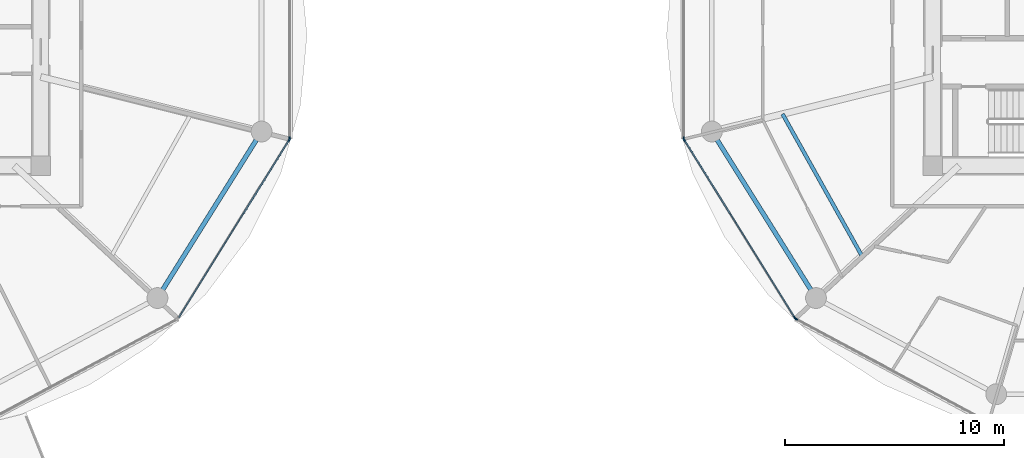
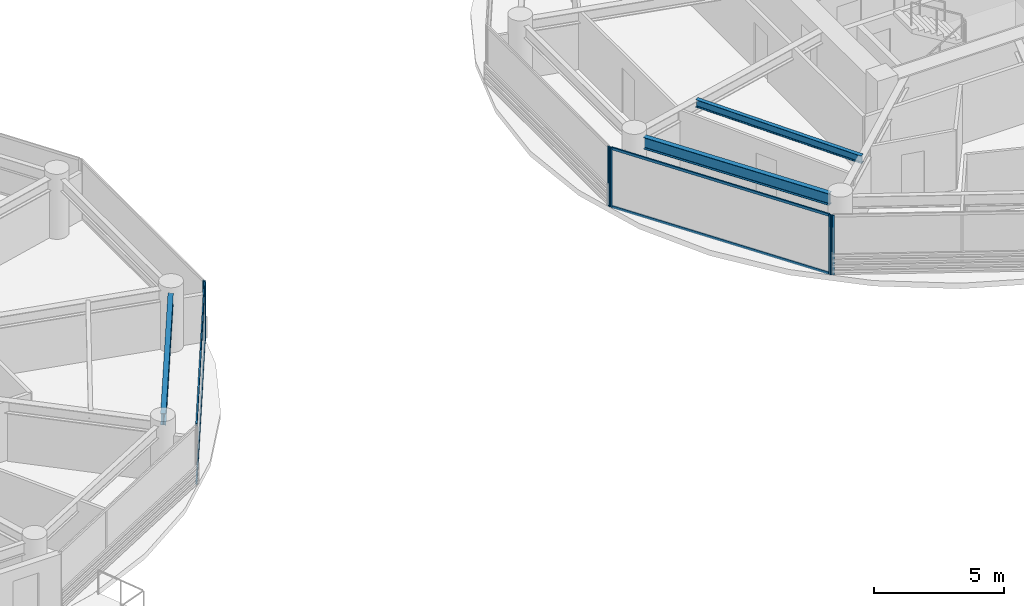
# One storey, part 6 of 27: 10 members, 3 beams, 5 elements without a shape of their own.
"""IFC4 building model written with IfcOpenShell, lengths in metres."""

from ifc_helpers import new_model, si_unit, direction, frame, origin, origin_2d, place, context, subcontext, project, spatial, rectangle, i_section, extrude, source, transform, mapped, material, layer, layer_set, material_profile, profile_set, type_object, type_shapes, element, aggregate, save


model = new_model("IFC4")

# Units and contexts
model_context = context("Model", 3, precision=1e-05, world=origin(), true_north=direction((0.0, 1.0)))
body_context = subcontext(model_context, "Body", "Model", "MODEL_VIEW")
ifc_project = project(units=[si_unit("LENGTHUNIT", "METRE"), si_unit("AREAUNIT", "SQUARE_METRE"), si_unit("VOLUMEUNIT", "CUBIC_METRE"), si_unit("PLANEANGLEUNIT", "RADIAN"), si_unit("MASSUNIT", "GRAM", prefix="KILO")], contexts=[model_context])

# Site, building, storey
site_placement = place(None, origin())
site = spatial("IfcSite", under=ifc_project, at=site_placement, CompositionType="ELEMENT")
building_placement = place(site_placement, origin())
building = spatial("IfcBuilding", under=site, at=building_placement, Name="Norrkilde Senior Care Towers", CompositionType="ELEMENT")
storey_placement = place(building_placement, frame((0.0, 0.0, 46.0)))
storey = spatial("IfcBuildingStorey", under=building, at=storey_placement, Name="L13", CompositionType="ELEMENT", Elevation=46.0)

# Beams
ifc_material_1 = material(Name="Steel S355", Category="steel")
ifc_material_profile_1 = material_profile(ifc_material_1, i_section(OverallWidth=0.2099609375, OverallDepth=0.550048828125, WebThickness=0.010986328125, FlangeThickness=0.01708984375, FilletRadius=0.02392578125, at=origin_2d()), Name="IPE 550")
ifc_profile_set_1 = profile_set([ifc_material_profile_1], Name="Steel S355")
beam_type_1 = type_object("IfcBeamType", Name="Perimeter Ring Spandrel Z1 IPE550", PredefinedType="SPANDREL", material=ifc_profile_set_1)
shared_shape_1 = source(origin(), body_context, "Body", "SweptSolid", [
    extrude(i_section(OverallWidth=0.2099609375, OverallDepth=0.550048828125, WebThickness=0.010986328125, FlangeThickness=0.01708984375, FilletRadius=0.02392578125, at=origin_2d()), origin(), (0.0, 0.0, 1.0), 8.090576171875),
])
type_shapes(beam_type_1, [shared_shape_1])
for number, where, z_axis, x_axis, name in (
    (1, (-14.7939453125, -11.61669921875, 2.514892578125), (0.530004364821, 0.84799491347, 0.0), (-0.84799491347, 0.530004364821, 0.0), "L13 Drum W Perimeter Spandrel 11"),
    (2, (10.505859375, -4.755859375, 2.514892578125), (0.530004364821, -0.84799491347, 0.0), (0.84799491347, 0.530004364821, 0.0), "L13 Drum E Perimeter Spandrel 07"),
):
    element("IfcBeam", number, at=place(storey_placement, frame(where, z_axis=z_axis, x_axis=x_axis)), inside=storey, type_object=beam_type_1, Name=name, PredefinedType="SPANDREL", context=body_context, shape_type="MappedRepresentation", body=[
        mapped(shared_shape_1, transform((0.0, 0.0, 0.0), x_axis=(1.0, 0.0, 0.0), y_axis=(0.0, 1.0, 0.0), z_axis=(0.0, 0.0, 1.0), scale=1.0)),
    ])
ifc_material_profile_2 = material_profile(ifc_material_1, i_section(OverallWidth=0.169921875, OverallDepth=0.360107421875, WebThickness=0.008056640625, FlangeThickness=0.0126953125, FilletRadius=0.01806640625, at=origin_2d()), Name="IPE 360")
ifc_profile_set_2 = profile_set([ifc_material_profile_2], Name="Steel S355")
beam_type_2 = type_object("IfcBeamType", Name="Secondary Floor Joist IPE360", PredefinedType="JOIST", material=ifc_profile_set_2)
shared_shape_2 = source(origin(), body_context, "Body", "SweptSolid", [
    extrude(i_section(OverallWidth=0.169921875, OverallDepth=0.360107421875, WebThickness=0.008056640625, FlangeThickness=0.0126953125, FilletRadius=0.01806640625, at=origin_2d()), origin(), (0.0, 0.0, 1.0), 7.40771484375),
])
type_shapes(beam_type_2, [shared_shape_2])
beam_placement = place(storey_placement, frame((13.499267578125, -3.589111328125, 2.610107421875), z_axis=(0.488167754092, -0.872749817453, 0.0), x_axis=(0.872749817453, 0.488167754092, 0.0)))
element("IfcBeam", 3, at=beam_placement, inside=storey, type_object=beam_type_2, Name="L13 Drum E Secondary Floor Joist 3", PredefinedType="JOIST", context=body_context, shape_type="MappedRepresentation", body=[
    mapped(shared_shape_2, transform((0.0, 0.0, 0.0), x_axis=(1.0, 0.0, 0.0), y_axis=(0.0, 1.0, 0.0), z_axis=(0.0, 0.0, 1.0), scale=1.0)),
])

# Curtain wall, member
ifc_material_2 = material(Name="Triple Low-E Insulated Glazing", Category="glass")
ifc_layer = layer(ifc_material_2, 0.199951171875)
ifc_layer_set = layer_set([ifc_layer], Name="Triple Low-E Insulated Glazing")
curtain_wall_type = type_object("IfcCurtainWallType", Name="CW2 Zone 1 Memory Care Curtain Wall", PredefinedType="NOTDEFINED", material=ifc_layer_set)
curtain_wall_1_placement = place(storey_placement, origin())
curtain_wall_1 = element("IfcCurtainWall", 4, at=curtain_wall_1_placement, inside=storey, type_object=curtain_wall_type, Name="L13 Drum W Curtain Wall 10", PredefinedType="NOTDEFINED")
ifc_material_3 = material(Name="Anodised Aluminium", Category="aluminium")
ifc_material_profile_3 = material_profile(ifc_material_3, rectangle(XDim=0.06494140625, YDim=0.159912109375, at=origin_2d()), Name="ALU MULL 65x160")
ifc_profile_set_3 = profile_set([ifc_material_profile_3], Name="Anodised Aluminium")
member_type_1 = type_object("IfcMemberType", Name="Curtain Wall Mullion Z1-Z2 65x160", PredefinedType="MULLION", material=ifc_profile_set_3)
shared_shape_3 = source(origin(), body_context, "Body", "SweptSolid", [
    extrude(rectangle(XDim=0.06494140625, YDim=0.159912109375, at=origin_2d()), origin(), (0.0, 0.0, 1.0), 2.7900390625),
])
type_shapes(member_type_1, [shared_shape_3])
member_1_placement = place(storey_placement, frame((-9.0078125, -4.7587890625, 0.0), z_axis=(0.0, 0.0, 1.0), x_axis=(0.849305943117, -0.527900951871, 0.0)))
member_1 = element("IfcMember", 5, at=member_1_placement, type_object=member_type_1, Name="CW-2 mullion 1", PredefinedType="MULLION", context=body_context, shape_type="MappedRepresentation", body=[
    mapped(shared_shape_3, transform((0.0, 0.0, 0.0), x_axis=(1.0, 0.0, 0.0), y_axis=(0.0, 1.0, 0.0), z_axis=(0.0, 0.0, 1.0), scale=1.0)),
])

curtain_wall_2_placement = place(storey_placement, origin())
curtain_wall_2 = element("IfcCurtainWall", 6, at=curtain_wall_2_placement, inside=storey, type_object=curtain_wall_type, Name="L13 Drum W Curtain Wall 11", PredefinedType="NOTDEFINED")
member_2_placement = place(storey_placement, frame((-8.990478515625, -4.69873046875, 0.0), z_axis=(0.0, 0.0, 1.0), x_axis=(1.0, 0.0, 0.0)))
member_2 = element("IfcMember", 7, at=member_2_placement, type_object=member_type_1, Name="CW-2 mullion 2", PredefinedType="MULLION", context=body_context, shape_type="MappedRepresentation", body=[
    mapped(shared_shape_3, transform((0.0, 0.0, 0.0), x_axis=(1.0, 0.0, 0.0), y_axis=(0.0, 1.0, 0.0), z_axis=(0.0, 0.0, 1.0), scale=1.0)),
])
aggregate(curtain_wall_2, [member_2])

curtain_wall_3_placement = place(storey_placement, origin())
curtain_wall_3 = element("IfcCurtainWall", 8, at=curtain_wall_3_placement, inside=storey, type_object=curtain_wall_type, Name="L13 Drum E Curtain Wall 05", PredefinedType="NOTDEFINED")
member_3_placement = place(storey_placement, frame((8.990478515625, -4.69873046875, 0.0), z_axis=(0.0, 0.0, 1.0), x_axis=(-1.0, 0.0, 0.0)))
member_3 = element("IfcMember", 9, at=member_3_placement, type_object=member_type_1, Name="CW-2 mullion 1", PredefinedType="MULLION", context=body_context, shape_type="MappedRepresentation", body=[
    mapped(shared_shape_3, transform((0.0, 0.0, 0.0), x_axis=(1.0, 0.0, 0.0), y_axis=(0.0, 1.0, 0.0), z_axis=(0.0, 0.0, 1.0), scale=1.0)),
])
aggregate(curtain_wall_3, [member_3])

# Curtain wall, members
curtain_wall_4_placement = place(storey_placement, origin())
curtain_wall_4 = element("IfcCurtainWall", 10, at=curtain_wall_4_placement, inside=storey, type_object=curtain_wall_type, Name="L13 Drum E Curtain Wall 06", PredefinedType="NOTDEFINED")
member_4_placement = place(storey_placement, frame((14.06689453125, -12.898193359375, 0.0), z_axis=(0.0, 0.0, 1.0), x_axis=(-0.849305943117, -0.527900951871, 0.0)))
member_4 = element("IfcMember", 11, at=member_4_placement, type_object=member_type_1, Name="CW-2 mullion 1", PredefinedType="MULLION", context=body_context, shape_type="MappedRepresentation", body=[
    mapped(shared_shape_3, transform((0.0, 0.0, 0.0), x_axis=(1.0, 0.0, 0.0), y_axis=(0.0, 1.0, 0.0), z_axis=(0.0, 0.0, 1.0), scale=1.0)),
])
member_5_placement = place(storey_placement, frame((9.0078125, -4.7587890625, 0.0), z_axis=(0.0, 0.0, 1.0), x_axis=(-0.849305943117, -0.527900951871, 0.0)))
member_5 = element("IfcMember", 12, at=member_5_placement, type_object=member_type_1, Name="CW-2 mullion 2", PredefinedType="MULLION", context=body_context, shape_type="MappedRepresentation", body=[
    mapped(shared_shape_3, transform((0.0, 0.0, 0.0), x_axis=(1.0, 0.0, 0.0), y_axis=(0.0, 1.0, 0.0), z_axis=(0.0, 0.0, 1.0), scale=1.0)),
])

# Curtain wall, member
curtain_wall_5_placement = place(storey_placement, origin())
curtain_wall_5 = element("IfcCurtainWall", 13, at=curtain_wall_5_placement, inside=storey, type_object=curtain_wall_type, Name="L13 Drum E Curtain Wall 07", PredefinedType="NOTDEFINED")
member_6_placement = place(storey_placement, frame((14.11279296875, -12.941162109375, 0.0), z_axis=(0.0, 0.0, 1.0), x_axis=(-0.472607802456, -0.881272866403, 0.0)))
member_6 = element("IfcMember", 14, at=member_6_placement, type_object=member_type_1, Name="CW-2 mullion 2", PredefinedType="MULLION", context=body_context, shape_type="MappedRepresentation", body=[
    mapped(shared_shape_3, transform((0.0, 0.0, 0.0), x_axis=(1.0, 0.0, 0.0), y_axis=(0.0, 1.0, 0.0), z_axis=(0.0, 0.0, 1.0), scale=1.0)),
])
aggregate(curtain_wall_5, [member_6])

# Member
ifc_material_profile_4 = material_profile(ifc_material_3, rectangle(XDim=0.06005859375, YDim=0.1201171875, at=origin_2d()), Name="ALU TRAN 60x120")
ifc_profile_set_4 = profile_set([ifc_material_profile_4], Name="Anodised Aluminium")
member_type_2 = type_object("IfcMemberType", Name="Curtain Wall Transom Typical 60x120", PredefinedType="USERDEFINED", material=ifc_profile_set_4)
shared_shape_4 = source(origin(), body_context, "Body", "SweptSolid", [
    extrude(rectangle(XDim=0.06005859375, YDim=0.1201171875, at=origin_2d()), origin(), (0.0, 0.0, 1.0), 9.5185546875),
])
type_shapes(member_type_2, [shared_shape_4])
member_7_placement = place(storey_placement, frame((-9.02490234375, -4.786376953125, 0.030029296875), z_axis=(-0.527901620669, -0.849305527413, 0.0), x_axis=(0.849305527413, -0.527901620669, 0.0)))
member_7 = element("IfcMember", 15, at=member_7_placement, type_object=member_type_2, Name="CW-2 transom 1.1", ObjectType="TRANSOM", PredefinedType="USERDEFINED", context=body_context, shape_type="MappedRepresentation", body=[
    mapped(shared_shape_4, transform((0.0, 0.0, 0.0), x_axis=(1.0, 0.0, 0.0), y_axis=(0.0, 1.0, 0.0), z_axis=(0.0, 0.0, 1.0), scale=1.0)),
])

member_8_placement = place(storey_placement, frame((-9.02490234375, -4.786376953125, 2.760009765625), z_axis=(-0.527901620669, -0.849305527413, 0.0), x_axis=(0.849305527413, -0.527901620669, 0.0)))
member_8 = element("IfcMember", 16, at=member_8_placement, type_object=member_type_2, Name="CW-2 transom 1.2", ObjectType="TRANSOM", PredefinedType="USERDEFINED", context=body_context, shape_type="MappedRepresentation", body=[
    mapped(shared_shape_4, transform((0.0, 0.0, 0.0), x_axis=(1.0, 0.0, 0.0), y_axis=(0.0, 1.0, 0.0), z_axis=(0.0, 0.0, 1.0), scale=1.0)),
])

aggregate(curtain_wall_1, [member_1, member_7, member_8])

member_9_placement = place(storey_placement, frame((14.0498046875, -12.87060546875, 0.030029296875), z_axis=(-0.527901620669, 0.849305527413, 0.0), x_axis=(-0.849305527413, -0.527901620669, 0.0)))
member_9 = element("IfcMember", 17, at=member_9_placement, type_object=member_type_2, Name="CW-2 transom 1.1", ObjectType="TRANSOM", PredefinedType="USERDEFINED", context=body_context, shape_type="MappedRepresentation", body=[
    mapped(shared_shape_4, transform((0.0, 0.0, 0.0), x_axis=(1.0, 0.0, 0.0), y_axis=(0.0, 1.0, 0.0), z_axis=(0.0, 0.0, 1.0), scale=1.0)),
])

member_10_placement = place(storey_placement, frame((14.0498046875, -12.87060546875, 2.760009765625), z_axis=(-0.527901620669, 0.849305527413, 0.0), x_axis=(-0.849305527413, -0.527901620669, 0.0)))
member_10 = element("IfcMember", 18, at=member_10_placement, type_object=member_type_2, Name="CW-2 transom 1.2", ObjectType="TRANSOM", PredefinedType="USERDEFINED", context=body_context, shape_type="MappedRepresentation", body=[
    mapped(shared_shape_4, transform((0.0, 0.0, 0.0), x_axis=(1.0, 0.0, 0.0), y_axis=(0.0, 1.0, 0.0), z_axis=(0.0, 0.0, 1.0), scale=1.0)),
])

aggregate(curtain_wall_4, [member_4, member_5, member_9, member_10])

save(model, "model.ifc")
